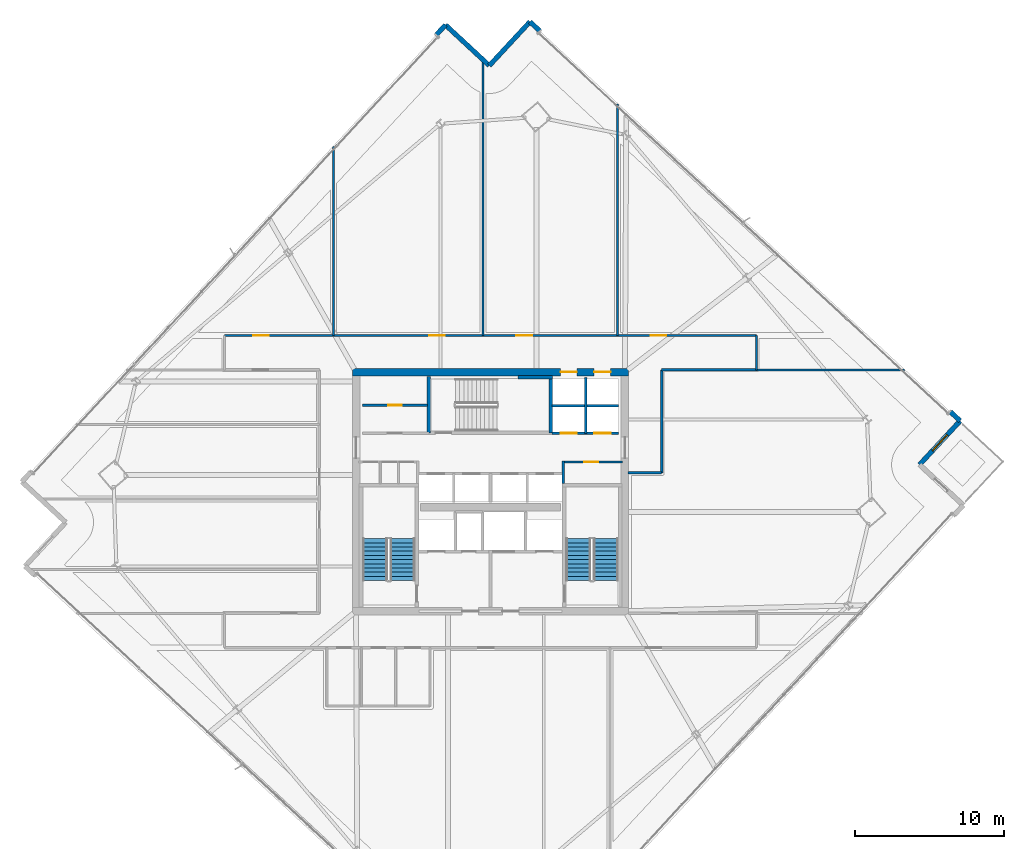
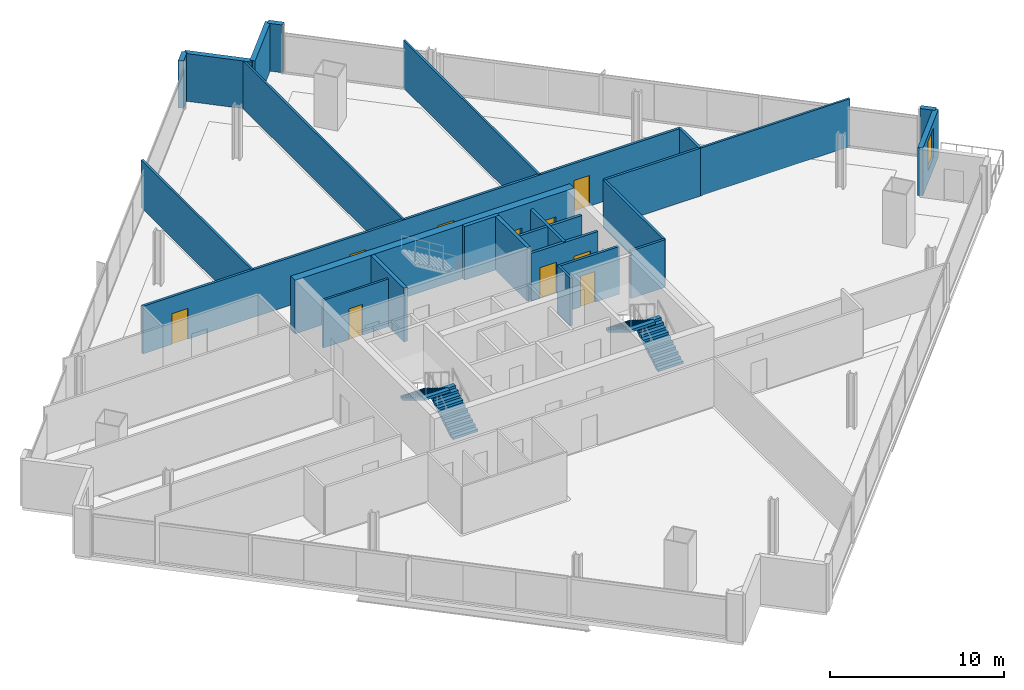
# One storey, part 26 of 32: 25 walls, 10 doors, 4 stair flights, 1 window, 11 openings, 2 elements without a shape of their own.
"""IFC4 building model written with IfcOpenShell, lengths in metres."""

from ifc_helpers import new_model, si_unit, direction, frame, frame_2d, origin, place, context, subcontext, project, spatial, polyline, rectangle, outline, extrude, material, layer, layer_set, type_object, element, fill, aggregate, save


model = new_model("IFC4")

# Units and contexts
model_context = context("Model", 3, precision=1e-05, world=origin(), true_north=direction((0.0, 1.0)))
body_context = subcontext(model_context, "Body", "Model", "MODEL_VIEW")
ifc_project = project(units=[si_unit("LENGTHUNIT", "METRE"), si_unit("AREAUNIT", "SQUARE_METRE"), si_unit("VOLUMEUNIT", "CUBIC_METRE"), si_unit("PLANEANGLEUNIT", "RADIAN"), si_unit("MASSUNIT", "GRAM", prefix="KILO")], contexts=[model_context])

# Site, building, storey
site_placement = place(None, origin())
site = spatial("IfcSite", under=ifc_project, at=site_placement, CompositionType="ELEMENT")
building_placement = place(site_placement, origin())
building = spatial("IfcBuilding", under=site, at=building_placement, Name="Haldenkirk Collegiate Tower", CompositionType="ELEMENT")
storey_placement = place(building_placement, frame((0.0, 0.0, 185.699951171875)))
storey = spatial("IfcBuildingStorey", under=building, at=storey_placement, Name="L46", CompositionType="ELEMENT", Elevation=185.699951171875)

# Wall, openings, doors
ifc_material_1 = material(Name="Concrete f'c 55 MPa", Category="concrete")
ifc_layer_1 = layer(ifc_material_1, 0.5)
ifc_layer_set_1 = layer_set([ifc_layer_1], Name="Concrete f'c 55 MPa")
wall_type_1 = type_object("IfcWallType", Name="WL-CORE-500", PredefinedType="SHEAR", material=ifc_layer_set_1)
wall_1_placement = place(storey_placement, frame((26.75, 34.0, 0.0), z_axis=(0.0, 0.0, 1.0), x_axis=(1.0, 0.0, 0.0)))
wall_1 = element("IfcWall", 1, at=wall_1_placement, inside=storey, type_object=wall_type_1, Name="L46 central core shear wall N", PredefinedType="SHEAR", context=body_context, shape_type="SweptSolid", body=[
    extrude(rectangle(XDim=18.5, YDim=0.5, at=frame_2d((9.25, 0.0))), origin(), (0.0, 0.0, 1.0), 3.75),
])
opening_1_placement = place(wall_1_placement, frame((13.93505859375, 0.0, 0.0)))
opening_1 = element("IfcOpeningElement", 2, at=opening_1_placement, cuts=wall_1, Name="Opening LD-11", PredefinedType="OPENING", context=body_context, shape_type="SweptSolid", body=[
    extrude(rectangle(XDim=1.10009765625, YDim=2.14990234375, at=frame_2d((0.550048828125, 1.074951171875))), frame((0.0, 0.260009765625, 0.0), z_axis=(0.0, -1.0, 0.0), x_axis=(1.0, 0.0, 0.0)), (0.0, 0.0, 1.0), 0.52001953125),
])
opening_2_placement = place(wall_1_placement, frame((16.18505859375, 0.0, 0.0)))
opening_2 = element("IfcOpeningElement", 3, at=opening_2_placement, cuts=wall_1, Name="Opening LD-11", PredefinedType="OPENING", context=body_context, shape_type="SweptSolid", body=[
    extrude(rectangle(XDim=1.10009765625, YDim=2.14990234375, at=frame_2d((0.550048828125, 1.074951171875))), frame((0.0, 0.260009765625, 0.0), z_axis=(0.0, -1.0, 0.0), x_axis=(1.0, 0.0, 0.0)), (0.0, 0.0, 1.0), 0.52001953125),
])
ifc_material_2 = material(Name="Brushed architectural stainless steel", Category="steel")
ifc_layer_2 = layer(ifc_material_2, 0.06005859375)
ifc_layer_set_2 = layer_set([ifc_layer_2], Name="Brushed architectural stainless steel")
door_type_1 = type_object("IfcDoorType", Name="LD-PASS-1100", OperationType="NOTDEFINED", PredefinedType="DOOR", material=ifc_layer_set_2)
door_1_placement = place(opening_1_placement, origin())
door_1 = element("IfcDoor", 4, at=door_1_placement, inside=storey, type_object=door_type_1, Name="L46 Elevator PM3 sliding landing door", OperationType="SLIDING_TO_LEFT", OverallHeight=2.14990234375, OverallWidth=1.10009765625, PredefinedType="DOOR", context=body_context, shape_type="SweptSolid", body=[
    extrude(rectangle(XDim=1.10009765625, YDim=2.14990234375, at=frame_2d((0.550048828125, 1.074951171875))), frame((0.0, 0.02490234375, 0.0), z_axis=(0.0, -1.0, 0.0), x_axis=(1.0, 0.0, 0.0)), (0.0, 0.0, 1.0), 0.050048828125),
])
fill(opening_1, door_1)
door_2_placement = place(opening_2_placement, origin())
door_2 = element("IfcDoor", 5, at=door_2_placement, inside=storey, type_object=door_type_1, Name="L46 Elevator PM4 sliding landing door", OperationType="SLIDING_TO_LEFT", OverallHeight=2.14990234375, OverallWidth=1.10009765625, PredefinedType="DOOR", context=body_context, shape_type="SweptSolid", body=[
    extrude(rectangle(XDim=1.10009765625, YDim=2.14990234375, at=frame_2d((0.550048828125, 1.074951171875))), frame((0.0, 0.02490234375, 0.0), z_axis=(0.0, -1.0, 0.0), x_axis=(1.0, 0.0, 0.0)), (0.0, 0.0, 1.0), 0.050048828125),
])
fill(opening_2, door_2)

# Wall, opening, window
ifc_material_3 = material(Name="Precast concrete f'c 40 MPa", Category="concrete")
ifc_layer_3 = layer(ifc_material_3, 0.320068359375)
ifc_layer_set_3 = layer_set([ifc_layer_3], Name="Precast concrete f'c 40 MPa")
wall_type_2 = type_object("IfcWallType", Name="WL-EXT-TWR-320", PredefinedType="STANDARD", material=ifc_layer_set_3)
wall_2_placement = place(storey_placement, frame((67.4345703125, 30.73583984375, 0.0), z_axis=(0.0, 0.0, 1.0), x_axis=(-0.6800905044, -0.733128164665, 0.0)))
wall_2 = element("IfcWall", 6, at=wall_2_placement, inside=storey, type_object=wall_type_2, Name="L46 bronze precast notch wall 03", PredefinedType="STANDARD", context=body_context, shape_type="SweptSolid", body=[
    extrude(rectangle(XDim=4.000244140625, YDim=0.320068359375, at=frame_2d((2.0, 0.0))), origin(), (0.0, 0.0, 1.0), 3.340087890625),
])
opening_3_placement = place(wall_2_placement, frame((1.27490234375, 0.0, 0.85009765625)))
opening_3 = element("IfcOpeningElement", 7, at=opening_3_placement, cuts=wall_2, Name="Opening W-05", PredefinedType="OPENING", context=body_context, shape_type="SweptSolid", body=[
    extrude(rectangle(XDim=1.449951171875, YDim=2.050048828125, at=frame_2d((0.72509765625, 1.02490234375))), frame((0.0, 0.169921875, 0.0), z_axis=(0.0, -1.0, 0.0), x_axis=(1.0, 0.0, 0.0)), (0.0, 0.0, 1.0), 0.340087890625),
])
ifc_material_4 = material(Name="Low-E argon triple insulating glass", Category="glass")
ifc_layer_4 = layer(ifc_material_4, 0.090087890625)
ifc_layer_set_4 = layer_set([ifc_layer_4], Name="Low-E argon triple insulating glass")
window_type = type_object("IfcWindowType", Name="WN-Z3-1450X2050", PartitioningType="SINGLE_PANEL", PredefinedType="WINDOW", material=ifc_layer_set_4)
window_placement = place(opening_3_placement, origin())
window = element("IfcWindow", 8, at=window_placement, inside=storey, type_object=window_type, Name="L46 precast-frame academic window 2", OverallHeight=2.050048828125, OverallWidth=1.449951171875, PartitioningType="SINGLE_PANEL", PredefinedType="WINDOW", context=body_context, shape_type="SweptSolid", body=[
    extrude(rectangle(XDim=1.449951171875, YDim=2.050048828125, at=frame_2d((0.72509765625, 1.02490234375))), frame((0.0, 0.030029296875, 0.0), z_axis=(0.0, -1.0, 0.0), x_axis=(1.0, 0.0, 0.0)), (0.0, 0.0, 1.0), 0.06005859375),
])
fill(opening_3, window)

# Walls
for number, where, z_axis, x_axis, name in (
    (9, (38.640380859375, 57.446044921875, 0.0), (0.0, 0.0, 1.0), (0.733189467173, -0.680024415169, 0.0), "L46 precast corner pier EL"),
    (10, (66.774658203125, 31.347900390625, 0.0), (0.0, 0.0, 1.0), (0.733189467173, -0.680024415169, 0.0), "L46 precast corner pier ER"),
):
    element("IfcWall", number, at=place(storey_placement, frame(where, z_axis=z_axis, x_axis=x_axis)), inside=storey, type_object=wall_type_2, Name=name, PredefinedType="STANDARD", context=body_context, shape_type="SweptSolid", body=[
        extrude(rectangle(XDim=0.900146484375, YDim=0.320068359375, at=frame_2d((0.4501953125, 0.0))), origin(), (0.0, 0.0, 1.0), 3.340087890625),
    ])
wall_3_placement = place(storey_placement, frame((35.920166015625, 54.513427734375, 0.0), z_axis=(0.0, 0.0, 1.0), x_axis=(0.68005769854, 0.733158595841, 0.0)))
element("IfcWall", 11, at=wall_3_placement, inside=storey, type_object=wall_type_2, Name="L46 bronze precast notch wall 05", PredefinedType="STANDARD", context=body_context, shape_type="SweptSolid", body=[
    extrude(rectangle(XDim=4.0, YDim=0.320068359375, at=frame_2d((2.0, 0.0))), origin(), (0.0, 0.0, 1.0), 3.340087890625),
])
wall_4_placement = place(storey_placement, frame((32.987548828125, 57.23388671875, 0.0), z_axis=(0.0, 0.0, 1.0), x_axis=(0.733128164665, -0.6800905044, 0.0)))
element("IfcWall", 12, at=wall_4_placement, inside=storey, type_object=wall_type_2, Name="L46 bronze precast notch wall 06", PredefinedType="STANDARD", context=body_context, shape_type="SweptSolid", body=[
    extrude(rectangle(XDim=4.000244140625, YDim=0.320068359375, at=frame_2d((2.0, 0.0))), origin(), (0.0, 0.0, 1.0), 3.340087890625),
])
wall_5_placement = place(storey_placement, frame((32.37548828125, 56.573974609375, 0.0), z_axis=(0.0, 0.0, 1.0), x_axis=(0.680024415169, 0.733189467173, 0.0)))
element("IfcWall", 13, at=wall_5_placement, inside=storey, type_object=wall_type_2, Name="L46 precast corner pier NR", PredefinedType="STANDARD", context=body_context, shape_type="SweptSolid", body=[
    extrude(rectangle(XDim=0.900146484375, YDim=0.320068359375, at=frame_2d((0.4501953125, 0.0))), origin(), (0.0, 0.0, 1.0), 3.340087890625),
])

# Wall, opening, door
ifc_material_5 = material(Name="Acoustic fire-rated gypsum partition", Category="concrete")
ifc_layer_5 = layer(ifc_material_5, 0.159912109375)
ifc_layer_set_5 = layer_set([ifc_layer_5], Name="Acoustic fire-rated gypsum partition")
wall_type_3 = type_object("IfcWallType", Name="WL-INT-CORR-160", PredefinedType="PARTITIONING", material=ifc_layer_set_5)
wall_6_placement = place(storey_placement, frame((40.800048828125, 27.97998046875, 0.0), z_axis=(0.0, 0.0, 1.0), x_axis=(1.0, 0.0, 0.0)))
wall_6 = element("IfcWall", 14, at=wall_6_placement, inside=storey, type_object=wall_type_3, Name="L46 interior partition IW-L46-VCSE-N", PredefinedType="PARTITIONING", context=body_context, shape_type="SweptSolid", body=[
    extrude(rectangle(XDim=4.050048828125, YDim=0.159912109375, at=frame_2d((2.02490234375, 0.0))), origin(), (0.0, 0.0, 1.0), 3.340087890625),
])
opening_4_placement = place(wall_6_placement, frame((1.47509765625, 0.0, 0.0)))
opening_4 = element("IfcOpeningElement", 15, at=opening_4_placement, cuts=wall_6, Name="Opening D-10", PredefinedType="OPENING", context=body_context, shape_type="SweptSolid", body=[
    extrude(rectangle(XDim=0.949951171875, YDim=2.14990234375, at=frame_2d((0.47509765625, 1.074951171875))), frame((0.0, 0.08984375, 0.0), z_axis=(0.0, -1.0, 0.0), x_axis=(1.0, 0.0, 0.0)), (0.0, 0.0, 1.0), 0.179931640625),
])
ifc_material_6 = material(Name="Solid-core architectural oak fire door", Category="wood")
ifc_layer_6 = layer(ifc_material_6, 0.06005859375)
ifc_layer_set_6 = layer_set([ifc_layer_6], Name="Solid-core architectural oak fire door")
door_type_2 = type_object("IfcDoorType", Name="DR-INT-FD60-950", OperationType="NOTDEFINED", PredefinedType="DOOR", material=ifc_layer_set_6)
door_3_placement = place(opening_4_placement, origin())
door_3 = element("IfcDoor", 16, at=door_3_placement, inside=storey, type_object=door_type_2, Name="L46 core archive vault door", OperationType="SINGLE_SWING_RIGHT", OverallHeight=2.14990234375, OverallWidth=0.949951171875, PredefinedType="DOOR", context=body_context, shape_type="SweptSolid", body=[
    extrude(rectangle(XDim=0.949951171875, YDim=2.14990234375, at=frame_2d((0.47509765625, 1.074951171875))), frame((0.0, 0.02490234375, 0.0), z_axis=(0.0, -1.0, 0.0), x_axis=(1.0, 0.0, 0.0)), (0.0, 0.0, 1.0), 0.050048828125),
])
fill(opening_4, door_3)

# Wall
wall_7_placement = place(storey_placement, frame((40.8798828125, 26.5400390625, 0.0), z_axis=(0.0, 0.0, 1.0), x_axis=(0.0, 1.0, 0.0)))
element("IfcWall", 17, at=wall_7_placement, inside=storey, type_object=wall_type_3, Name="L46 interior partition IW-L46-VCSE-W", PredefinedType="PARTITIONING", context=body_context, shape_type="SweptSolid", body=[
    extrude(rectangle(XDim=1.510009765625, YDim=0.159912109375, at=frame_2d((0.7548828125, 0.0))), origin(), (0.0, 0.0, 1.0), 3.340087890625),
])

# Wall, openings, doors
wall_8_placement = place(storey_placement, frame((18.199951171875, 36.449951171875, 0.0), z_axis=(0.0, 0.0, 1.0), x_axis=(1.0, 0.0, 0.0)))
wall_8 = element("IfcWall", 18, at=wall_8_placement, inside=storey, type_object=wall_type_3, Name="L46 interior partition IW-L46-CN", PredefinedType="PARTITIONING", context=body_context, shape_type="SweptSolid", body=[
    extrude(rectangle(XDim=35.60009765625, YDim=0.159912109375, at=frame_2d((17.800048828125, 0.0))), origin(), (0.0, 0.0, 1.0), 3.340087890625),
])
opening_5_placement = place(wall_8_placement, frame((1.9169921875, 0.0, 0.0)))
opening_5 = element("IfcOpeningElement", 19, at=opening_5_placement, cuts=wall_8, Name="Opening D-09", PredefinedType="OPENING", context=body_context, shape_type="SweptSolid", body=[
    extrude(rectangle(XDim=1.050048828125, YDim=2.14990234375, at=frame_2d((0.52490234375, 1.074951171875))), frame((0.0, 0.08984375, 0.0), z_axis=(0.0, -1.0, 0.0), x_axis=(1.0, 0.0, 0.0)), (0.0, 0.0, 1.0), 0.179931640625),
])
opening_6_placement = place(wall_8_placement, frame((13.695068359375, 0.0, 0.0)))
opening_6 = element("IfcOpeningElement", 20, at=opening_6_placement, cuts=wall_8, Name="Opening D-09", PredefinedType="OPENING", context=body_context, shape_type="SweptSolid", body=[
    extrude(rectangle(XDim=1.050048828125, YDim=2.14990234375, at=frame_2d((0.52490234375, 1.074951171875))), frame((0.0, 0.08984375, 0.0), z_axis=(0.0, -1.0, 0.0), x_axis=(1.0, 0.0, 0.0)), (0.0, 0.0, 1.0), 0.179931640625),
])
opening_7_placement = place(wall_8_placement, frame((19.534912109375, 0.0, 0.0)))
opening_7 = element("IfcOpeningElement", 21, at=opening_7_placement, cuts=wall_8, Name="Opening D-09", PredefinedType="OPENING", context=body_context, shape_type="SweptSolid", body=[
    extrude(rectangle(XDim=1.050048828125, YDim=2.14990234375, at=frame_2d((0.52490234375, 1.074951171875))), frame((0.0, 0.08984375, 0.0), z_axis=(0.0, -1.0, 0.0), x_axis=(1.0, 0.0, 0.0)), (0.0, 0.0, 1.0), 0.179931640625),
])
opening_8_placement = place(wall_8_placement, frame((28.52490234375, 0.0, 0.0)))
opening_8 = element("IfcOpeningElement", 22, at=opening_8_placement, cuts=wall_8, Name="Opening D-09", PredefinedType="OPENING", context=body_context, shape_type="SweptSolid", body=[
    extrude(rectangle(XDim=1.050048828125, YDim=2.14990234375, at=frame_2d((0.52490234375, 1.074951171875))), frame((0.0, 0.08984375, 0.0), z_axis=(0.0, -1.0, 0.0), x_axis=(1.0, 0.0, 0.0)), (0.0, 0.0, 1.0), 0.179931640625),
])
ifc_layer_7 = layer(ifc_material_6, 0.06005859375)
ifc_layer_set_7 = layer_set([ifc_layer_7], Name="Solid-core architectural oak fire door")
door_type_3 = type_object("IfcDoorType", Name="DR-INT-FD60-1050", OperationType="NOTDEFINED", PredefinedType="DOOR", material=ifc_layer_set_7)
door_4_placement = place(opening_5_placement, origin())
door_4 = element("IfcDoor", 23, at=door_4_placement, inside=storey, type_object=door_type_3, Name="L46 Hospitality Tea Kitchen 3 door", OperationType="SINGLE_SWING_RIGHT", OverallHeight=2.14990234375, OverallWidth=1.050048828125, PredefinedType="DOOR", context=body_context, shape_type="SweptSolid", body=[
    extrude(rectangle(XDim=1.050048828125, YDim=2.14990234375, at=frame_2d((0.52490234375, 1.074951171875))), frame((0.0, 0.02490234375, 0.0), z_axis=(0.0, -1.0, 0.0), x_axis=(1.0, 0.0, 0.0)), (0.0, 0.0, 1.0), 0.050048828125),
])
fill(opening_5, door_4)
door_5_placement = place(opening_6_placement, origin())
door_5 = element("IfcDoor", 24, at=door_5_placement, inside=storey, type_object=door_type_3, Name="L46 Faculty Tea Kitchen 4 door", OperationType="SINGLE_SWING_LEFT", OverallHeight=2.14990234375, OverallWidth=1.050048828125, PredefinedType="DOOR", context=body_context, shape_type="SweptSolid", body=[
    extrude(rectangle(XDim=1.050048828125, YDim=2.14990234375, at=frame_2d((0.52490234375, 1.074951171875))), frame((0.0, 0.02490234375, 0.0), z_axis=(0.0, -1.0, 0.0), x_axis=(1.0, 0.0, 0.0)), (0.0, 0.0, 1.0), 0.050048828125),
])
fill(opening_6, door_5)
door_6_placement = place(opening_7_placement, origin())
door_6 = element("IfcDoor", 25, at=door_6_placement, inside=storey, type_object=door_type_3, Name="L46 Graduate Seminar Room 5 door", OperationType="SINGLE_SWING_RIGHT", OverallHeight=2.14990234375, OverallWidth=1.050048828125, PredefinedType="DOOR", context=body_context, shape_type="SweptSolid", body=[
    extrude(rectangle(XDim=1.050048828125, YDim=2.14990234375, at=frame_2d((0.52490234375, 1.074951171875))), frame((0.0, 0.02490234375, 0.0), z_axis=(0.0, -1.0, 0.0), x_axis=(1.0, 0.0, 0.0)), (0.0, 0.0, 1.0), 0.050048828125),
])
fill(opening_7, door_6)
door_7_placement = place(opening_8_placement, origin())
door_7 = element("IfcDoor", 26, at=door_7_placement, inside=storey, type_object=door_type_3, Name="L46 Colloquium Conference Room 6 door", OperationType="SINGLE_SWING_LEFT", OverallHeight=2.14990234375, OverallWidth=1.050048828125, PredefinedType="DOOR", context=body_context, shape_type="SweptSolid", body=[
    extrude(rectangle(XDim=1.050048828125, YDim=2.14990234375, at=frame_2d((0.52490234375, 1.074951171875))), frame((0.0, 0.02490234375, 0.0), z_axis=(0.0, -1.0, 0.0), x_axis=(1.0, 0.0, 0.0)), (0.0, 0.0, 1.0), 0.050048828125),
])
fill(opening_8, door_7)

# Walls
wall_9_placement = place(storey_placement, frame((47.449951171875, 34.14990234375, 0.0), z_axis=(0.0, 0.0, 1.0), x_axis=(1.0, 0.0, 0.0)))
element("IfcWall", 27, at=wall_9_placement, inside=storey, type_object=wall_type_3, Name="L46 interior partition IW-L46-CNE", PredefinedType="PARTITIONING", context=body_context, shape_type="SweptSolid", body=[
    extrude(rectangle(XDim=6.35009765625, YDim=0.159912109375, at=frame_2d((3.175048828125, 0.0))), origin(), (0.0, 0.0, 1.0), 3.340087890625),
])
wall_10_placement = place(storey_placement, frame((47.449951171875, 27.25, 0.0), z_axis=(0.0, 0.0, 1.0), x_axis=(0.0, 1.0, 0.0)))
element("IfcWall", 28, at=wall_10_placement, inside=storey, type_object=wall_type_3, Name="L46 interior partition IW-L46-CE", PredefinedType="PARTITIONING", context=body_context, shape_type="SweptSolid", body=[
    extrude(rectangle(XDim=6.89990234375, YDim=0.159912109375, at=frame_2d((3.449951171875, 0.0))), origin(), (0.0, 0.0, 1.0), 3.340087890625),
])
wall_11_placement = place(storey_placement, frame((45.199951171875, 27.25, 0.0), z_axis=(0.0, 0.0, 1.0), x_axis=(1.0, 0.0, 0.0)))
element("IfcWall", 29, at=wall_11_placement, inside=storey, type_object=wall_type_3, Name="L46 interior partition IW-L46-CES", PredefinedType="PARTITIONING", context=body_context, shape_type="SweptSolid", body=[
    extrude(rectangle(XDim=2.25, YDim=0.159912109375, at=frame_2d((1.125, 0.0))), origin(), (0.0, 0.0, 1.0), 3.340087890625),
])
wall_12_placement = place(storey_placement, frame((53.800048828125, 34.14990234375, 0.0), z_axis=(0.0, 0.0, 1.0), x_axis=(0.0, 1.0, 0.0)))
element("IfcWall", 30, at=wall_12_placement, inside=storey, type_object=wall_type_3, Name="L46 interior partition IW-L46-CNR", PredefinedType="PARTITIONING", context=body_context, shape_type="SweptSolid", body=[
    extrude(rectangle(XDim=2.300048828125, YDim=0.159912109375, at=frame_2d((1.14990234375, 0.0))), origin(), (0.0, 0.0, 1.0), 3.340087890625),
])

# Wall, opening, door
ifc_layer_8 = layer(ifc_material_5, 0.139892578125)
ifc_layer_set_8 = layer_set([ifc_layer_8], Name="Acoustic fire-rated gypsum partition")
wall_type_4 = type_object("IfcWallType", Name="WL-INT-DIV-140", PredefinedType="PARTITIONING", material=ifc_layer_set_8)
wall_13_placement = place(storey_placement, frame((27.449951171875, 31.780029296875, 0.0), z_axis=(0.0, 0.0, 1.0), x_axis=(1.0, 0.0, 0.0)))
wall_13 = element("IfcWall", 31, at=wall_13_placement, inside=storey, type_object=wall_type_4, Name="L46 interior partition IW-L46-PLDIVH", PredefinedType="PARTITIONING", context=body_context, shape_type="SweptSolid", body=[
    extrude(rectangle(XDim=4.35009765625, YDim=0.139892578125, at=frame_2d((2.175048828125, 0.0))), origin(), (0.0, 0.0, 1.0), 3.340087890625),
])
opening_9_placement = place(wall_13_placement, frame((1.699951171875, 0.0, 0.0)))
opening_9 = element("IfcOpeningElement", 32, at=opening_9_placement, cuts=wall_13, Name="Opening D-13", PredefinedType="OPENING", context=body_context, shape_type="SweptSolid", body=[
    extrude(rectangle(XDim=0.89990234375, YDim=2.14990234375, at=frame_2d((0.449951171875, 1.074951171875))), frame((0.0, 0.079833984375, 0.0), z_axis=(0.0, -1.0, 0.0), x_axis=(1.0, 0.0, 0.0)), (0.0, 0.0, 1.0), 0.159912109375),
])
ifc_layer_9 = layer(ifc_material_6, 0.06005859375)
ifc_layer_set_9 = layer_set([ifc_layer_9], Name="Solid-core architectural oak fire door")
door_type_4 = type_object("IfcDoorType", Name="DR-INT-STD-900", OperationType="NOTDEFINED", PredefinedType="DOOR", material=ifc_layer_set_9)
door_8_placement = place(opening_9_placement, origin())
door_8 = element("IfcDoor", 33, at=door_8_placement, inside=storey, type_object=door_type_4, Name="L46 folio vault door", OperationType="SINGLE_SWING_RIGHT", OverallHeight=2.14990234375, OverallWidth=0.89990234375, PredefinedType="DOOR", context=body_context, shape_type="SweptSolid", body=[
    extrude(rectangle(XDim=0.89990234375, YDim=2.14990234375, at=frame_2d((0.449951171875, 1.074951171875))), frame((0.0, 0.02490234375, 0.0), z_axis=(0.0, -1.0, 0.0), x_axis=(1.0, 0.0, 0.0)), (0.0, 0.0, 1.0), 0.050048828125),
])
fill(opening_9, door_8)

# Walls
wall_14_placement = place(storey_placement, frame((53.800048828125, 34.14990234375, 0.0), z_axis=(0.0, 0.0, 1.0), x_axis=(1.0, 0.0, 0.0)))
element("IfcWall", 34, at=wall_14_placement, inside=storey, type_object=wall_type_4, Name="L46 interior partition IW-L46-BEN", PredefinedType="PARTITIONING", context=body_context, shape_type="SweptSolid", body=[
    extrude(rectangle(XDim=9.89501953125, YDim=0.139892578125, at=frame_2d((4.947509765625, 0.0))), origin(), (0.0, 0.0, 1.0), 3.340087890625),
])
wall_15_placement = place(storey_placement, frame((25.5, 36.449951171875, 0.0), z_axis=(0.0, 0.0, 1.0), x_axis=(0.0, 1.0, 0.0)))
element("IfcWall", 35, at=wall_15_placement, inside=storey, type_object=wall_type_4, Name="L46 interior partition IW-L46-RN1", PredefinedType="PARTITIONING", context=body_context, shape_type="SweptSolid", body=[
    extrude(rectangle(XDim=12.6533203125, YDim=0.139892578125, at=frame_2d((6.32666015625, 0.0))), origin(), (0.0, 0.0, 1.0), 3.340087890625),
])
wall_16_placement = place(storey_placement, frame((35.5, 36.449951171875, 0.0), z_axis=(0.0, 0.0, 1.0), x_axis=(0.0, 1.0, 0.0)))
element("IfcWall", 36, at=wall_16_placement, inside=storey, type_object=wall_type_4, Name="L46 interior partition IW-L46-RN2", PredefinedType="PARTITIONING", context=body_context, shape_type="SweptSolid", body=[
    extrude(rectangle(XDim=18.398681640625, YDim=0.139892578125, at=frame_2d((9.19921875, 0.0))), origin(), (0.0, 0.0, 1.0), 3.340087890625),
])
wall_17_placement = place(storey_placement, frame((44.5, 36.449951171875, 0.0), z_axis=(0.0, 0.0, 1.0), x_axis=(0.0, 1.0, 0.0)))
element("IfcWall", 37, at=wall_17_placement, inside=storey, type_object=wall_type_4, Name="L46 interior partition IW-L46-RN3", PredefinedType="PARTITIONING", context=body_context, shape_type="SweptSolid", body=[
    extrude(rectangle(XDim=15.506103515625, YDim=0.139892578125, at=frame_2d((7.7529296875, 0.0))), origin(), (0.0, 0.0, 1.0), 3.340087890625),
])

# Wall, openings, doors
ifc_material_7 = material(Name="Fire-rated gypsum shaftboard assembly", Category="concrete")
ifc_layer_10 = layer(ifc_material_7, 0.179931640625)
ifc_layer_set_10 = layer_set([ifc_layer_10], Name="Fire-rated gypsum shaftboard assembly")
wall_type_5 = type_object("IfcWallType", Name="WL-INT-SHAFT-180", PredefinedType="PARTITIONING", material=ifc_layer_set_10)
wall_18_placement = place(storey_placement, frame((40.1201171875, 29.89990234375, 0.0), z_axis=(0.0, 0.0, 1.0), x_axis=(1.0, 0.0, 0.0)))
wall_18 = element("IfcWall", 38, at=wall_18_placement, inside=storey, type_object=wall_type_5, Name="L46 interior partition IW-L46-PMS", PredefinedType="PARTITIONING", context=body_context, shape_type="SweptSolid", body=[
    extrude(rectangle(XDim=4.429931640625, YDim=0.179931640625, at=frame_2d((2.21484375, 0.0))), origin(), (0.0, 0.0, 1.0), 3.340087890625),
])
opening_10_placement = place(wall_18_placement, frame((0.56494140625, 0.0, 0.0)))
opening_10 = element("IfcOpeningElement", 39, at=opening_10_placement, cuts=wall_18, Name="Opening LD-11", PredefinedType="OPENING", context=body_context, shape_type="SweptSolid", body=[
    extrude(rectangle(XDim=1.10009765625, YDim=2.14990234375, at=frame_2d((0.550048828125, 1.074951171875))), frame((0.0, 0.099853515625, 0.0), z_axis=(0.0, -1.0, 0.0), x_axis=(1.0, 0.0, 0.0)), (0.0, 0.0, 1.0), 0.199951171875),
])
opening_11_placement = place(wall_18_placement, frame((2.81494140625, 0.0, 0.0)))
opening_11 = element("IfcOpeningElement", 40, at=opening_11_placement, cuts=wall_18, Name="Opening LD-11", PredefinedType="OPENING", context=body_context, shape_type="SweptSolid", body=[
    extrude(rectangle(XDim=1.10009765625, YDim=2.14990234375, at=frame_2d((0.550048828125, 1.074951171875))), frame((0.0, 0.099853515625, 0.0), z_axis=(0.0, -1.0, 0.0), x_axis=(1.0, 0.0, 0.0)), (0.0, 0.0, 1.0), 0.199951171875),
])
door_9_placement = place(opening_10_placement, origin())
door_9 = element("IfcDoor", 41, at=door_9_placement, inside=storey, type_object=door_type_1, Name="L46 Elevator PM1 sliding landing door", OperationType="SLIDING_TO_LEFT", OverallHeight=2.14990234375, OverallWidth=1.10009765625, PredefinedType="DOOR", context=body_context, shape_type="SweptSolid", body=[
    extrude(rectangle(XDim=1.10009765625, YDim=2.14990234375, at=frame_2d((0.550048828125, 1.074951171875))), frame((0.0, 0.02490234375, 0.0), z_axis=(0.0, -1.0, 0.0), x_axis=(1.0, 0.0, 0.0)), (0.0, 0.0, 1.0), 0.050048828125),
])
fill(opening_10, door_9)
door_10_placement = place(opening_11_placement, origin())
door_10 = element("IfcDoor", 42, at=door_10_placement, inside=storey, type_object=door_type_1, Name="L46 Elevator PM2 sliding landing door", OperationType="SLIDING_TO_LEFT", OverallHeight=2.14990234375, OverallWidth=1.10009765625, PredefinedType="DOOR", context=body_context, shape_type="SweptSolid", body=[
    extrude(rectangle(XDim=1.10009765625, YDim=2.14990234375, at=frame_2d((0.550048828125, 1.074951171875))), frame((0.0, 0.02490234375, 0.0), z_axis=(0.0, -1.0, 0.0), x_axis=(1.0, 0.0, 0.0)), (0.0, 0.0, 1.0), 0.050048828125),
])
fill(opening_11, door_10)

# Walls
wall_19_placement = place(storey_placement, frame((40.1201171875, 31.75, 0.0), z_axis=(0.0, 0.0, 1.0), x_axis=(1.0, 0.0, 0.0)))
element("IfcWall", 43, at=wall_19_placement, inside=storey, type_object=wall_type_5, Name="L46 interior partition IW-L46-PMM", PredefinedType="PARTITIONING", context=body_context, shape_type="SweptSolid", body=[
    extrude(rectangle(XDim=4.429931640625, YDim=0.179931640625, at=frame_2d((2.21484375, 0.0))), origin(), (0.0, 0.0, 1.0), 3.340087890625),
])
wall_20_placement = place(storey_placement, frame((42.3701171875, 29.89990234375, 0.0), z_axis=(0.0, 0.0, 1.0), x_axis=(0.0, 1.0, 0.0)))
element("IfcWall", 44, at=wall_20_placement, inside=storey, type_object=wall_type_5, Name="L46 interior partition IW-L46-PMV", PredefinedType="PARTITIONING", context=body_context, shape_type="SweptSolid", body=[
    extrude(rectangle(XDim=3.75, YDim=0.179931640625, at=frame_2d((1.875, 0.0))), origin(), (0.0, 0.0, 1.0), 3.340087890625),
])
ifc_layer_11 = layer(ifc_material_1, 0.239990234375)
ifc_layer_set_11 = layer_set([ifc_layer_11], Name="Concrete f'c 55 MPa")
wall_type_6 = type_object("IfcWallType", Name="WL-SHAFT-240", PredefinedType="SHEAR", material=ifc_layer_set_11)
wall_21_placement = place(storey_placement, frame((31.8798828125, 29.929931640625, 0.0), z_axis=(0.0, 0.0, 1.0), x_axis=(0.0, 1.0, 0.0)))
element("IfcWall", 45, at=wall_21_placement, inside=storey, type_object=wall_type_6, Name="L46 stair shaft shear wall SW-L46-ST3W", PredefinedType="SHEAR", context=body_context, shape_type="SweptSolid", body=[
    extrude(rectangle(XDim=3.7900390625, YDim=0.239990234375, at=frame_2d((1.89501953125, 0.0))), origin(), (0.0, 0.0, 1.0), 3.75),
])
wall_22_placement = place(storey_placement, frame((40.02001953125, 29.929931640625, 0.0), z_axis=(0.0, 0.0, 1.0), x_axis=(0.0, 1.0, 0.0)))
element("IfcWall", 46, at=wall_22_placement, inside=storey, type_object=wall_type_6, Name="L46 stair shaft shear wall SW-L46-ST3E", PredefinedType="SHEAR", context=body_context, shape_type="SweptSolid", body=[
    extrude(rectangle(XDim=3.85009765625, YDim=0.239990234375, at=frame_2d((1.925048828125, 0.0))), origin(), (0.0, 0.0, 1.0), 3.75),
])
wall_23_placement = place(storey_placement, frame((37.85009765625, 33.659912109375, 0.0), z_axis=(0.0, 0.0, 1.0), x_axis=(1.0, 0.0, 0.0)))
element("IfcWall", 47, at=wall_23_placement, inside=storey, type_object=wall_type_6, Name="L46 stair shaft shear wall SW-L46-ST3N", PredefinedType="SHEAR", context=body_context, shape_type="SweptSolid", body=[
    extrude(rectangle(XDim=2.289794921875, YDim=0.239990234375, at=frame_2d((1.14501953125, 0.0))), origin(), (0.0, 0.0, 1.0), 3.75),
])

# Stair, stair flights
ifc_material_8 = material(Name="Concrete f'c 40 MPa", Category="concrete")
stair_type = type_object("IfcStairType", Name="STR-DOGLEG-1650", PredefinedType="HALF_TURN_STAIR", material=ifc_material_8)
stair_1_placement = place(storey_placement, origin())
stair_1 = element("IfcStair", 48, at=stair_1_placement, inside=storey, type_object=stair_type, Name="L46 Core Exit Stair ST-1", PredefinedType="HALF_TURN_STAIR")
stair_flight_type = type_object("IfcStairFlightType", Name="STF-FLIGHT-1650", PredefinedType="STRAIGHT", material=ifc_material_8)
stair_flight_1_placement = place(storey_placement, frame((30.125, 20.050048828125, 0.0), z_axis=(0.0, 0.0, 1.0), x_axis=(0.0, 1.0, 0.0)))
stair_flight_1 = element("IfcStairFlight", 49, at=stair_flight_1_placement, type_object=stair_flight_type, Name="ST-1 flight 1", NumberOfRisers=11, NumberOfTreads=10, PredefinedType="STRAIGHT", RiserHeight=0.170454545, TreadLength=0.28, context=body_context, shape_type="SweptSolid", body=[
    extrude(outline(polyline([(0.0, 0.0), (0.0, 0.17041015625), (0.280029296875, 0.17041015625), (0.280029296875, 0.3408203125), (0.56005859375, 0.3408203125), (0.56005859375, 0.511474609375), (0.840087890625, 0.511474609375), (0.840087890625, 0.681884765625), (1.1201171875, 0.681884765625), (1.1201171875, 0.852294921875), (1.39990234375, 0.852294921875), (1.39990234375, 1.022705078125), (1.679931640625, 1.022705078125), (1.679931640625, 1.193115234375), (1.9599609375, 1.193115234375), (1.9599609375, 1.363525390625), (2.239990234375, 1.363525390625), (2.239990234375, 1.5341796875), (2.52001953125, 1.5341796875), (2.52001953125, 1.70458984375), (2.800048828125, 1.70458984375), (2.800048828125, 1.875), (2.800048828125, 1.529052734375), (0.288330078125, 0.0), (0.0, 0.0)])), frame((0.0, 0.824951171875, 0.0), z_axis=(0.0, -1.0, 0.0), x_axis=(1.0, 0.0, 0.0)), (0.0, 0.0, 1.0), 1.64990234375),
])
stair_flight_2_placement = place(storey_placement, frame((28.27490234375, 22.85009765625, 1.875), z_axis=(0.0, 0.0, 1.0), x_axis=(0.0, -1.0, 0.0)))
stair_flight_2 = element("IfcStairFlight", 50, at=stair_flight_2_placement, type_object=stair_flight_type, Name="ST-1 flight 2", NumberOfRisers=11, NumberOfTreads=10, PredefinedType="STRAIGHT", RiserHeight=0.170454545, TreadLength=0.28, context=body_context, shape_type="SweptSolid", body=[
    extrude(outline(polyline([(0.0, 0.0), (0.0, 0.17041015625), (0.280029296875, 0.17041015625), (0.280029296875, 0.3408203125), (0.56005859375, 0.3408203125), (0.56005859375, 0.511474609375), (0.840087890625, 0.511474609375), (0.840087890625, 0.681884765625), (1.1201171875, 0.681884765625), (1.1201171875, 0.852294921875), (1.39990234375, 0.852294921875), (1.39990234375, 1.022705078125), (1.679931640625, 1.022705078125), (1.679931640625, 1.193115234375), (1.9599609375, 1.193115234375), (1.9599609375, 1.363525390625), (2.239990234375, 1.363525390625), (2.239990234375, 1.5341796875), (2.52001953125, 1.5341796875), (2.52001953125, 1.70458984375), (2.800048828125, 1.70458984375), (2.800048828125, 1.875), (2.800048828125, 1.529052734375), (0.288330078125, 0.0), (0.0, 0.0)])), frame((0.0, 0.824951171875, 0.0), z_axis=(0.0, -1.0, 0.0), x_axis=(1.0, 0.0, 0.0)), (0.0, 0.0, 1.0), 1.64990234375),
])
aggregate(stair_1, [stair_flight_1, stair_flight_2])

stair_2_placement = place(storey_placement, origin())
stair_2 = element("IfcStair", 51, at=stair_2_placement, inside=storey, type_object=stair_type, Name="L46 Core Exit Stair ST-2", PredefinedType="HALF_TURN_STAIR")
stair_flight_3_placement = place(storey_placement, frame((43.72509765625, 20.050048828125, 0.0), z_axis=(0.0, 0.0, 1.0), x_axis=(0.0, 1.0, 0.0)))
stair_flight_3 = element("IfcStairFlight", 52, at=stair_flight_3_placement, type_object=stair_flight_type, Name="ST-2 flight 1", NumberOfRisers=11, NumberOfTreads=10, PredefinedType="STRAIGHT", RiserHeight=0.170454545, TreadLength=0.28, context=body_context, shape_type="SweptSolid", body=[
    extrude(outline(polyline([(0.0, 0.0), (0.0, 0.17041015625), (0.280029296875, 0.17041015625), (0.280029296875, 0.3408203125), (0.56005859375, 0.3408203125), (0.56005859375, 0.511474609375), (0.840087890625, 0.511474609375), (0.840087890625, 0.681884765625), (1.1201171875, 0.681884765625), (1.1201171875, 0.852294921875), (1.39990234375, 0.852294921875), (1.39990234375, 1.022705078125), (1.679931640625, 1.022705078125), (1.679931640625, 1.193115234375), (1.9599609375, 1.193115234375), (1.9599609375, 1.363525390625), (2.239990234375, 1.363525390625), (2.239990234375, 1.5341796875), (2.52001953125, 1.5341796875), (2.52001953125, 1.70458984375), (2.800048828125, 1.70458984375), (2.800048828125, 1.875), (2.800048828125, 1.529052734375), (0.288330078125, 0.0), (0.0, 0.0)])), frame((0.0, 0.824951171875, 0.0), z_axis=(0.0, -1.0, 0.0), x_axis=(1.0, 0.0, 0.0)), (0.0, 0.0, 1.0), 1.64990234375),
])
stair_flight_4_placement = place(storey_placement, frame((41.875, 22.85009765625, 1.875), z_axis=(0.0, 0.0, 1.0), x_axis=(0.0, -1.0, 0.0)))
stair_flight_4 = element("IfcStairFlight", 53, at=stair_flight_4_placement, type_object=stair_flight_type, Name="ST-2 flight 2", NumberOfRisers=11, NumberOfTreads=10, PredefinedType="STRAIGHT", RiserHeight=0.170454545, TreadLength=0.28, context=body_context, shape_type="SweptSolid", body=[
    extrude(outline(polyline([(0.0, 0.0), (0.0, 0.17041015625), (0.280029296875, 0.17041015625), (0.280029296875, 0.3408203125), (0.56005859375, 0.3408203125), (0.56005859375, 0.511474609375), (0.840087890625, 0.511474609375), (0.840087890625, 0.681884765625), (1.1201171875, 0.681884765625), (1.1201171875, 0.852294921875), (1.39990234375, 0.852294921875), (1.39990234375, 1.022705078125), (1.679931640625, 1.022705078125), (1.679931640625, 1.193115234375), (1.9599609375, 1.193115234375), (1.9599609375, 1.363525390625), (2.239990234375, 1.363525390625), (2.239990234375, 1.5341796875), (2.52001953125, 1.5341796875), (2.52001953125, 1.70458984375), (2.800048828125, 1.70458984375), (2.800048828125, 1.875), (2.800048828125, 1.529052734375), (0.288330078125, 0.0), (0.0, 0.0)])), frame((0.0, 0.824951171875, 0.0), z_axis=(0.0, -1.0, 0.0), x_axis=(1.0, 0.0, 0.0)), (0.0, 0.0, 1.0), 1.64990234375),
])
aggregate(stair_2, [stair_flight_3, stair_flight_4])

save(model, "model.ifc")
